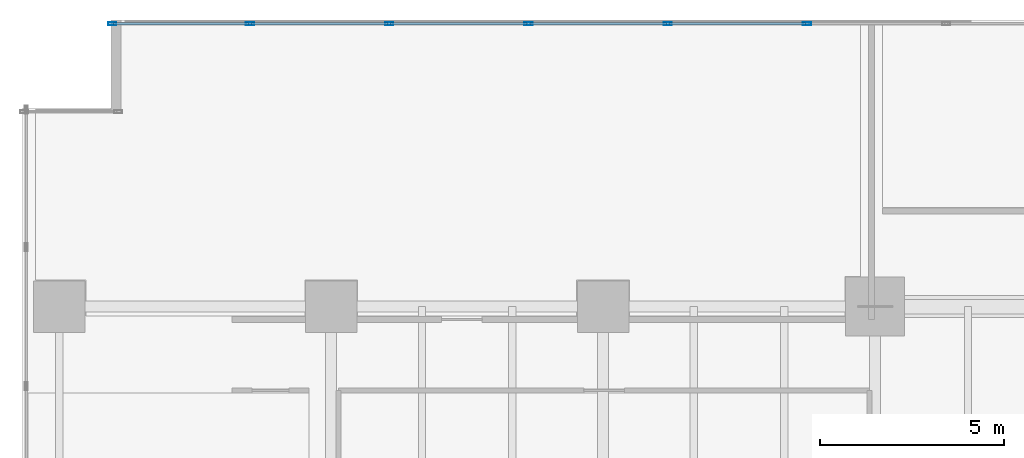
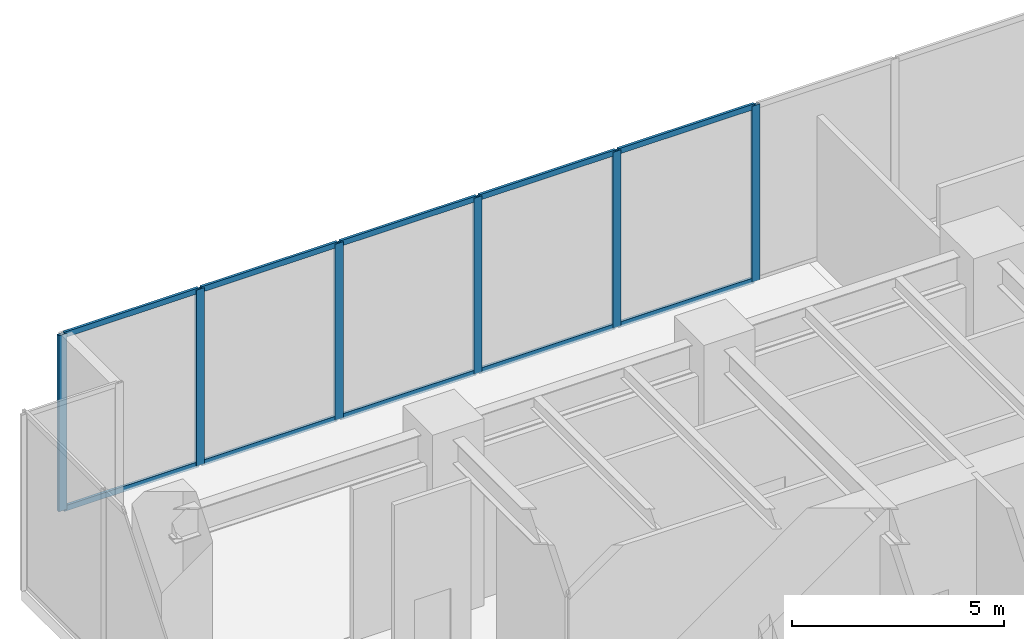
# One storey, part 14 of 35: 16 members, 1 element without a shape of its own.
"""IFC4 building model written with IfcOpenShell, lengths in metres."""

import ifcopenshell
import ifcopenshell.guid

model = None  # the IFC model being written
_history = None  # IfcOwnerHistory: only IFC2X3 demands one
_inside = {}  # id of a spatial element -> (the spatial element, [elements in it])
_under = {}  # id of a project, library or spatial element -> (it, [spatial elements below it])
_declared = {}  # id of a project -> (the project, [libraries it declares])
_typed = {}  # id of a type object -> (the type object, [elements of that type])
_made_of = {}  # id of a material, layer set ... -> (it, [elements and type objects made of it])


def new_model(schema):
    """Start an empty IFC model of exactly this schema.

    Asked for "IFC4X3", IfcOpenShell would pick the latest addendum, in which some entities
    have other attributes; the version numbers below select the first issue.
    IFC2X3 requires an IfcOwnerHistory on every rooted entity: one is made here for all.
    """
    global model, _history
    if schema == "IFC4X3":
        model = ifcopenshell.file(schema_version=(4, 3, 0, 0))
    else:
        model = ifcopenshell.file(schema=schema)
    _inside.clear()
    _under.clear()
    _declared.clear()
    _typed.clear()
    _made_of.clear()
    _history = None
    if model.schema == "IFC2X3":
        org = make("IfcOrganization", Name="unknown")
        user = make(
            "IfcPersonAndOrganization",
            ThePerson=make("IfcPerson", FamilyName="unknown"),
            TheOrganization=org,
        )
        app = make(
            "IfcApplication",
            ApplicationDeveloper=org,
            Version="unknown",
            ApplicationFullName="unknown",
            ApplicationIdentifier="unknown",
        )
        _history = make(
            "IfcOwnerHistory",
            OwningUser=user,
            OwningApplication=app,
            ChangeAction="ADDED",
            CreationDate=0,
        )
    return model


def make(cls, **values):
    """One entity of the class cls with the attributes given. An attribute that is None is left unset."""
    return model.create_entity(
        cls, **{name: value for name, value in values.items() if value is not None}
    )


def rooted(cls, **values):
    """An entity with a GlobalId (a new one), such as an element, a storey or a relation."""
    return make(cls, GlobalId=ifcopenshell.guid.new(), OwnerHistory=_history, **values)


def si_unit(unit_type, name, prefix=None):
    """IfcSIUnit, for example si_unit("LENGTHUNIT", "METRE", prefix="MILLI")."""
    return make("IfcSIUnit", UnitType=unit_type, Prefix=prefix, Name=name)


def assignment(units):
    """IfcUnitAssignment: the units of a project."""
    return None if units is None else make("IfcUnitAssignment", Units=units)


def point(xyz):
    """IfcCartesianPoint."""
    return None if xyz is None else make("IfcCartesianPoint", Coordinates=xyz)


def direction(xyz):
    """IfcDirection."""
    return None if xyz is None else make("IfcDirection", DirectionRatios=xyz)


def frame(location, z_axis=None, x_axis=None):
    """IfcAxis2Placement3D, a coordinate frame: its origin and axes. An axis left out is left unset."""
    return make(
        "IfcAxis2Placement3D",
        Location=point(location),
        Axis=direction(z_axis),
        RefDirection=direction(x_axis),
    )


def frame_2d(location, x_axis=None):
    """IfcAxis2Placement2D, a coordinate frame in the plane: its origin and x axis."""
    return make(
        "IfcAxis2Placement2D", Location=point(location), RefDirection=direction(x_axis)
    )


def origin():
    """The frame at (0, 0, 0) with its axes left unset."""
    return frame((0.0, 0.0, 0.0))


def origin_2d():
    """The frame at (0, 0) in the plane with its x axis left unset."""
    return frame_2d((0.0, 0.0))


def place(relative_to, where):
    """IfcLocalPlacement: puts the frame where relative to a parent placement (None: the world)."""
    return make(
        "IfcLocalPlacement", PlacementRelTo=relative_to, RelativePlacement=where
    )


def context(
    kind, dimensions, precision=None, world=None, true_north=None, identifier=None
):
    """IfcGeometricRepresentationContext, for example the 3D "Model" context."""
    return make(
        "IfcGeometricRepresentationContext",
        ContextIdentifier=identifier,
        ContextType=kind,
        CoordinateSpaceDimension=dimensions,
        Precision=precision,
        WorldCoordinateSystem=world,
        TrueNorth=true_north,
    )


def subcontext(parent, identifier, kind, view, scale=None):
    """IfcGeometricRepresentationSubContext, for example "Body" below "Model"."""
    return make(
        "IfcGeometricRepresentationSubContext",
        ContextIdentifier=identifier,
        ContextType=kind,
        ParentContext=parent,
        TargetScale=scale,
        TargetView=view,
    )


def project(units=None, contexts=None):
    """IfcProject with its units and contexts."""
    return rooted(
        "IfcProject",
        Name="project",
        RepresentationContexts=contexts,
        UnitsInContext=assignment(units),
    )


def spatial(cls, under=None, at=None, **own):
    """A site, building, storey or space (cls), placed at a placement, below another one or the project."""
    s = rooted(cls, ObjectPlacement=at, **own)
    if under is not None:
        _under.setdefault(under.id(), (under, []))[1].append(s)
    return s


def profile(cls, at=None, kind="AREA", **sizes):
    """A parametric profile (cls). Its sizes go by their IFC names, for example OverallWidth=200.0."""
    return make(cls, ProfileType=kind, Position=at, **sizes)


def hollow_rectangle(**sizes):
    """IfcRectangleHollowProfileDef."""
    return profile("IfcRectangleHollowProfileDef", **sizes)


def extrude(swept, where, along, depth):
    """IfcExtrudedAreaSolid: the profile swept, set in the frame where, extruded along a direction by depth."""
    return make(
        "IfcExtrudedAreaSolid",
        SweptArea=swept,
        Position=where,
        ExtrudedDirection=direction(along),
        Depth=depth,
    )


def shape(context_of_items, identifier, shape_type, items):
    """IfcShapeRepresentation: the items that make up one representation, for example the "Body"."""
    return make(
        "IfcShapeRepresentation",
        ContextOfItems=context_of_items,
        RepresentationIdentifier=identifier,
        RepresentationType=shape_type,
        Items=items,
    )


def source(mapping_origin, context_of_items, identifier, shape_type, items):
    """IfcRepresentationMap: a shape defined once, which mapped items show again and again."""
    return make(
        "IfcRepresentationMap",
        MappingOrigin=mapping_origin,
        MappedRepresentation=shape(context_of_items, identifier, shape_type, items),
    )


def transform(
    local_origin,
    x_axis=None,
    y_axis=None,
    z_axis=None,
    scale=None,
    scale2=None,
    scale3=None,
    uniform=True,
):
    """IfcCartesianTransformationOperator3D, or its non-uniform kind. x_axis, y_axis, z_axis: its Axis1, 2, 3."""
    if uniform:
        return make(
            "IfcCartesianTransformationOperator3D",
            Axis1=direction(x_axis),
            Axis2=direction(y_axis),
            LocalOrigin=point(local_origin),
            Scale=scale,
            Axis3=direction(z_axis),
        )
    return make(
        "IfcCartesianTransformationOperator3DnonUniform",
        Axis1=direction(x_axis),
        Axis2=direction(y_axis),
        LocalOrigin=point(local_origin),
        Scale=scale,
        Axis3=direction(z_axis),
        Scale2=scale2,
        Scale3=scale3,
    )


def mapped(mapping_source, mapping_target):
    """IfcMappedItem: shows the shape of a source again, moved by a transform."""
    return make(
        "IfcMappedItem", MappingSource=mapping_source, MappingTarget=mapping_target
    )


def material(Name=None, Category=None):
    """IfcMaterial."""
    return make("IfcMaterial", Name=Name, Category=Category)


def layer(
    of_material, thickness, ventilated=None, Name=None, Category=None, Priority=None
):
    """IfcMaterialLayer: one layer of a wall or slab, of a material (None: an air gap)."""
    return make(
        "IfcMaterialLayer",
        Material=of_material,
        LayerThickness=thickness,
        IsVentilated=ventilated,
        Name=Name,
        Category=Category,
        Priority=Priority,
    )


def layer_set(layers, Name=None):
    """IfcMaterialLayerSet."""
    return make("IfcMaterialLayerSet", MaterialLayers=layers, LayerSetName=Name)


def material_profile(
    of_material, cross_section, Name=None, Category=None, Priority=None
):
    """IfcMaterialProfile: a cross section and its material."""
    return make(
        "IfcMaterialProfile",
        Name=Name,
        Material=of_material,
        Profile=cross_section,
        Priority=Priority,
        Category=Category,
    )


def profile_set(profiles, Name=None, composite=None):
    """IfcMaterialProfileSet."""
    return make(
        "IfcMaterialProfileSet",
        Name=Name,
        MaterialProfiles=profiles,
        CompositeProfile=composite,
    )


def made_of(thing, what):
    """Note that an element or type object is made of a material, layer set ...; save() writes the relation."""
    if what is not None:
        _made_of.setdefault(what.id(), (what, []))[1].append(thing)
    return thing


def type_object(cls, material=None, **own):
    """A type object (cls), such as IfcWallType, which elements share."""
    return made_of(rooted(cls, **own), material)


def type_shapes(of_type, sources):
    """Give a type object the sources (RepresentationMaps) that its elements show as mapped items."""
    of_type.RepresentationMaps = sources


def element(
    cls,
    number,
    at=None,
    inside=None,
    cuts=None,
    type_object=None,
    material=None,
    context=None,
    identifier="Body",
    shape_type=None,
    held_by="IfcProductDefinitionShape",
    body=None,
    shapes=None,
    **own,
):
    """One element of the class cls, such as IfcWall. Its Tag is "e" and its number.

    at: its placement. inside: the storey or other place that contains it. cuts: it is an
    opening in that element (IfcRelVoidsElement). A single representation is given by context,
    identifier, shape_type and body (its items); several are given by shapes. held_by: the class
    of the entity that holds the representations. save() writes the other relations.
    """
    e = rooted(cls, Tag="e%d" % number, ObjectPlacement=at, **own)
    if body is not None:
        shapes = [shape(context, identifier, shape_type, body)]
    if shapes is not None:
        e.Representation = make(held_by, Representations=shapes)
    if inside is not None:
        _inside.setdefault(inside.id(), (inside, []))[1].append(e)
    if cuts is not None:
        rooted(
            "IfcRelVoidsElement", RelatingBuildingElement=cuts, RelatedOpeningElement=e
        )
    if type_object is not None:
        _typed.setdefault(type_object.id(), (type_object, []))[1].append(e)
    return made_of(e, material)


def aggregate(whole, parts):
    """IfcRelAggregates: a whole, such as a stair, and the parts it consists of."""
    return rooted("IfcRelAggregates", RelatingObject=whole, RelatedObjects=parts)


def save(model, path):
    """Write the relations noted so far, then the file.

    IfcRelAggregates (storeys below a building ...), IfcRelContainedInSpatialStructure (elements
    in a storey), IfcRelDefinesByType, IfcRelAssociatesMaterial and IfcRelDeclares: one each for
    every whole, place, type object, material and project.
    """
    for whole, parts in _under.values():
        aggregate(whole, parts)
    for where, things in _inside.values():
        rooted(
            "IfcRelContainedInSpatialStructure",
            RelatedElements=things,
            RelatingStructure=where,
        )
    for kind, things in _typed.values():
        rooted("IfcRelDefinesByType", RelatedObjects=things, RelatingType=kind)
    for what, things in _made_of.values():
        rooted("IfcRelAssociatesMaterial", RelatedObjects=things, RelatingMaterial=what)
    for by, libraries in _declared.values():
        rooted("IfcRelDeclares", RelatingContext=by, RelatedDefinitions=libraries)
    model.write(path)


model = new_model("IFC4")

# Units and contexts
model_context = context("Model", 3, precision=1e-05, world=origin(), true_north=direction((0.0, 1.0)))
body_context = subcontext(model_context, "Body", "Model", "MODEL_VIEW")
ifc_project = project(units=[si_unit("LENGTHUNIT", "METRE"), si_unit("AREAUNIT", "SQUARE_METRE"), si_unit("VOLUMEUNIT", "CUBIC_METRE"), si_unit("PLANEANGLEUNIT", "RADIAN"), si_unit("MASSUNIT", "GRAM", prefix="KILO")], contexts=[model_context])

# Site, building, storey
site_placement = place(None, origin())
site = spatial("IfcSite", under=ifc_project, at=site_placement, CompositionType="ELEMENT")
building_placement = place(site_placement, origin())
building = spatial("IfcBuilding", under=site, at=building_placement, Name="Haelvirn Gate Laboratories", CompositionType="ELEMENT")
storey_placement = place(building_placement, frame((0.0, 0.0, 19.800048828125)))
storey = spatial("IfcBuildingStorey", under=building, at=storey_placement, Name="L05", CompositionType="ELEMENT", Elevation=19.800048828125)

# Curtain wall, members
ifc_material_1 = material(Name="Anodised bronze unitised aluminium & triple low-E glass", Category="aluminium")
ifc_layer = layer(ifc_material_1, 0.18798828125, Name="CW-SYS-1")
ifc_layer_set = layer_set([ifc_layer], Name="Anodised bronze unitised aluminium & triple low-E glass")
curtain_wall_type = type_object("IfcCurtainWallType", Name="CW-SYS-1", PredefinedType="NOTDEFINED", material=ifc_layer_set)
curtain_wall_placement = place(storey_placement, origin())
curtain_wall = element("IfcCurtainWall", 1, at=curtain_wall_placement, inside=storey, type_object=curtain_wall_type, Name="L05 Unitised Curtain Wall CW-L05-P0-E06-1", PredefinedType="NOTDEFINED")
ifc_material_2 = material(Name="Extruded aluminium 6063-T6 (anodised bronze)", Category="aluminium")
ifc_material_profile_1 = material_profile(ifc_material_2, hollow_rectangle(XDim=0.080078125, YDim=0.219970703125, WallThickness=0.006103515625, at=origin_2d()), Name="CWM-220x80x6")
ifc_profile_set_1 = profile_set([ifc_material_profile_1], Name="Extruded aluminium 6063-T6 (anodised bronze)")
member_type_1 = type_object("IfcMemberType", Name="CWM-T220", PredefinedType="MULLION", material=ifc_profile_set_1)
shared_shape_1 = source(origin(), body_context, "Body", "SweptSolid", [
    extrude(hollow_rectangle(XDim=0.080078125, YDim=0.219970703125, WallThickness=0.006103515625, at=origin_2d()), origin(), (0.0, 0.0, 1.0), 5.079833984375),
])
type_shapes(member_type_1, [shared_shape_1])
member_1_placement = place(storey_placement, frame((1.43994140625, 49.300048828125, 0.0), z_axis=(0.0, 0.0, 1.0), x_axis=(0.0, 1.0, 0.0)))
member_1 = element("IfcMember", 2, at=member_1_placement, type_object=member_type_1, Name="CW1 mullion 1", PredefinedType="MULLION", context=body_context, shape_type="MappedRepresentation", body=[
    mapped(shared_shape_1, transform((0.0, 0.0, 0.0), scale=1.0)),
])
member_2_placement = place(storey_placement, frame((5.189453125, 49.300048828125, 0.0), z_axis=(0.0, 0.0, 1.0), x_axis=(0.0, 1.0, 0.0)))
member_2 = element("IfcMember", 3, at=member_2_placement, type_object=member_type_1, Name="CW1 mullion 2", PredefinedType="MULLION", context=body_context, shape_type="MappedRepresentation", body=[
    mapped(shared_shape_1, transform((0.0, 0.0, 0.0), scale=1.0)),
])
member_3_placement = place(storey_placement, frame((8.97900390625, 49.300048828125, 0.0), z_axis=(0.0, 0.0, 1.0), x_axis=(0.0, 1.0, 0.0)))
member_3 = element("IfcMember", 4, at=member_3_placement, type_object=member_type_1, Name="CW1 mullion 3", PredefinedType="MULLION", context=body_context, shape_type="MappedRepresentation", body=[
    mapped(shared_shape_1, transform((0.0, 0.0, 0.0), scale=1.0)),
])
member_4_placement = place(storey_placement, frame((12.768310546875, 49.300048828125, 0.0), z_axis=(0.0, 0.0, 1.0), x_axis=(0.0, 1.0, 0.0)))
member_4 = element("IfcMember", 5, at=member_4_placement, type_object=member_type_1, Name="CW1 mullion 4", PredefinedType="MULLION", context=body_context, shape_type="MappedRepresentation", body=[
    mapped(shared_shape_1, transform((0.0, 0.0, 0.0), scale=1.0)),
])
member_5_placement = place(storey_placement, frame((16.557861328125, 49.300048828125, 0.0), z_axis=(0.0, 0.0, 1.0), x_axis=(0.0, 1.0, 0.0)))
member_5 = element("IfcMember", 6, at=member_5_placement, type_object=member_type_1, Name="CW1 mullion 5", PredefinedType="MULLION", context=body_context, shape_type="MappedRepresentation", body=[
    mapped(shared_shape_1, transform((0.0, 0.0, 0.0), scale=1.0)),
])
member_6_placement = place(storey_placement, frame((20.347412109375, 49.300048828125, 0.0), z_axis=(0.0, 0.0, 1.0), x_axis=(0.0, 1.0, 0.0)))
member_6 = element("IfcMember", 7, at=member_6_placement, type_object=member_type_1, Name="CW1 mullion 6", PredefinedType="MULLION", context=body_context, shape_type="MappedRepresentation", body=[
    mapped(shared_shape_1, transform((0.0, 0.0, 0.0), scale=1.0)),
])
ifc_material_profile_2 = material_profile(ifc_material_2, hollow_rectangle(XDim=0.070068359375, YDim=0.159912109375, WallThickness=0.0048828125, at=origin_2d()), Name="CWT-160x70x5")
ifc_profile_set_2 = profile_set([ifc_material_profile_2], Name="Extruded aluminium 6063-T6 (anodised bronze)")
member_type_2 = type_object("IfcMemberType", Name="CWT-T160", PredefinedType="USERDEFINED", material=ifc_profile_set_2)
shared_shape_2 = source(origin(), body_context, "Body", "SweptSolid", [
    extrude(hollow_rectangle(XDim=0.070068359375, YDim=0.159912109375, WallThickness=0.0048828125, at=origin_2d()), origin(), (0.0, 0.0, 1.0), 3.66943359375),
])
member_7_placement = place(storey_placement, frame((1.47998046875, 49.300048828125, 0.034912109375), z_axis=(1.0, 0.0, 0.0), x_axis=(0.0, 1.0, 0.0)))
member_7 = element("IfcMember", 8, at=member_7_placement, type_object=member_type_2, Name="CW1 transom 1.1", ObjectType="TRANSOM", PredefinedType="USERDEFINED", context=body_context, shape_type="MappedRepresentation", body=[
    mapped(shared_shape_2, transform((0.0, 0.0, 0.0), scale=1.0)),
])
member_8_placement = place(storey_placement, frame((1.47998046875, 49.300048828125, 5.044921875), z_axis=(1.0, 0.0, 0.0), x_axis=(0.0, 1.0, 0.0)))
member_8 = element("IfcMember", 9, at=member_8_placement, type_object=member_type_2, Name="CW1 transom 1.2", ObjectType="TRANSOM", PredefinedType="USERDEFINED", context=body_context, shape_type="MappedRepresentation", body=[
    mapped(shared_shape_2, transform((0.0, 0.0, 0.0), scale=1.0)),
])
shared_shape_3 = source(origin(), body_context, "Body", "SweptSolid", [
    extrude(hollow_rectangle(XDim=0.070068359375, YDim=0.159912109375, WallThickness=0.0048828125, at=origin_2d()), origin(), (0.0, 0.0, 1.0), 3.70947265625),
])
type_shapes(member_type_2, [shared_shape_2, shared_shape_3])
member_9_placement = place(storey_placement, frame((5.2294921875, 49.300048828125, 0.034912109375), z_axis=(1.0, 0.0, 0.0), x_axis=(0.0, 1.0, 0.0)))
member_9 = element("IfcMember", 10, at=member_9_placement, type_object=member_type_2, Name="CW1 transom 2.1", ObjectType="TRANSOM", PredefinedType="USERDEFINED", context=body_context, shape_type="MappedRepresentation", body=[
    mapped(shared_shape_3, transform((0.0, 0.0, 0.0), scale=1.0)),
])
member_10_placement = place(storey_placement, frame((5.2294921875, 49.300048828125, 5.044921875), z_axis=(1.0, 0.0, 0.0), x_axis=(0.0, 1.0, 0.0)))
member_10 = element("IfcMember", 11, at=member_10_placement, type_object=member_type_2, Name="CW1 transom 2.2", ObjectType="TRANSOM", PredefinedType="USERDEFINED", context=body_context, shape_type="MappedRepresentation", body=[
    mapped(shared_shape_3, transform((0.0, 0.0, 0.0), scale=1.0)),
])
member_11_placement = place(storey_placement, frame((9.01904296875, 49.300048828125, 0.034912109375), z_axis=(1.0, 0.0, 0.0), x_axis=(0.0, 1.0, 0.0)))
member_11 = element("IfcMember", 12, at=member_11_placement, type_object=member_type_2, Name="CW1 transom 3.1", ObjectType="TRANSOM", PredefinedType="USERDEFINED", context=body_context, shape_type="MappedRepresentation", body=[
    mapped(shared_shape_3, transform((0.0, 0.0, 0.0), scale=1.0)),
])
member_12_placement = place(storey_placement, frame((9.01904296875, 49.300048828125, 5.044921875), z_axis=(1.0, 0.0, 0.0), x_axis=(0.0, 1.0, 0.0)))
member_12 = element("IfcMember", 13, at=member_12_placement, type_object=member_type_2, Name="CW1 transom 3.2", ObjectType="TRANSOM", PredefinedType="USERDEFINED", context=body_context, shape_type="MappedRepresentation", body=[
    mapped(shared_shape_3, transform((0.0, 0.0, 0.0), scale=1.0)),
])
member_13_placement = place(storey_placement, frame((12.808349609375, 49.300048828125, 0.034912109375), z_axis=(1.0, 0.0, 0.0), x_axis=(0.0, 1.0, 0.0)))
member_13 = element("IfcMember", 14, at=member_13_placement, type_object=member_type_2, Name="CW1 transom 4.1", ObjectType="TRANSOM", PredefinedType="USERDEFINED", context=body_context, shape_type="MappedRepresentation", body=[
    mapped(shared_shape_3, transform((0.0, 0.0, 0.0), scale=1.0)),
])
member_14_placement = place(storey_placement, frame((12.808349609375, 49.300048828125, 5.044921875), z_axis=(1.0, 0.0, 0.0), x_axis=(0.0, 1.0, 0.0)))
member_14 = element("IfcMember", 15, at=member_14_placement, type_object=member_type_2, Name="CW1 transom 4.2", ObjectType="TRANSOM", PredefinedType="USERDEFINED", context=body_context, shape_type="MappedRepresentation", body=[
    mapped(shared_shape_3, transform((0.0, 0.0, 0.0), scale=1.0)),
])
member_15_placement = place(storey_placement, frame((16.597900390625, 49.300048828125, 0.034912109375), z_axis=(1.0, 0.0, 0.0), x_axis=(0.0, 1.0, 0.0)))
member_15 = element("IfcMember", 16, at=member_15_placement, type_object=member_type_2, Name="CW1 transom 5.1", ObjectType="TRANSOM", PredefinedType="USERDEFINED", context=body_context, shape_type="MappedRepresentation", body=[
    mapped(shared_shape_3, transform((0.0, 0.0, 0.0), scale=1.0)),
])
member_16_placement = place(storey_placement, frame((16.597900390625, 49.300048828125, 5.044921875), z_axis=(1.0, 0.0, 0.0), x_axis=(0.0, 1.0, 0.0)))
member_16 = element("IfcMember", 17, at=member_16_placement, type_object=member_type_2, Name="CW1 transom 5.2", ObjectType="TRANSOM", PredefinedType="USERDEFINED", context=body_context, shape_type="MappedRepresentation", body=[
    mapped(shared_shape_3, transform((0.0, 0.0, 0.0), scale=1.0)),
])
aggregate(curtain_wall, [member_1, member_2, member_3, member_4, member_5, member_6, member_7, member_8, member_9, member_10, member_11, member_12, member_13, member_14, member_15, member_16])

save(model, "model.ifc")
